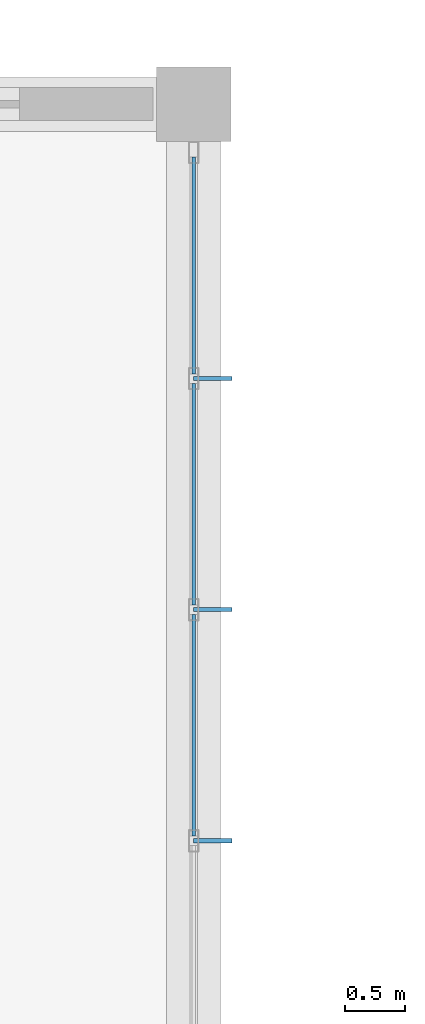
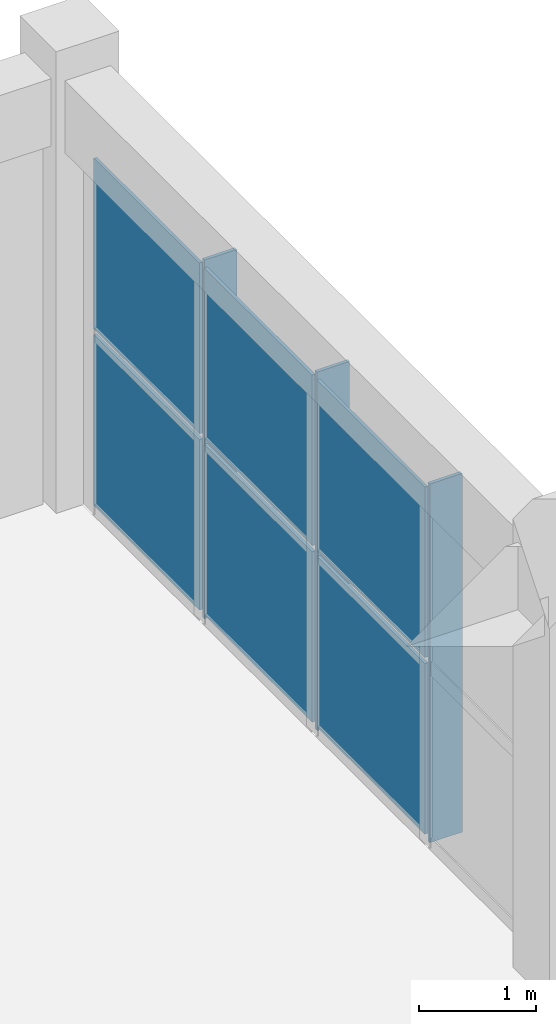
# One storey, part 149 of 167: 9 plates, 1 element without a shape of its own.
"""IFC4 building model written with IfcOpenShell, lengths in metres."""

from ifc_helpers import new_model, si_unit, direction, frame, origin, origin_2d, place, context, subcontext, project, spatial, polyline, rectangle, outline, extrude, material, layer, layer_set, type_object, element, aggregate, save


model = new_model("IFC4")

# Units and contexts
model_context = context("Model", 3, precision=1e-05, world=origin(), true_north=direction((0.0, 1.0)))
body_context = subcontext(model_context, "Body", "Model", "MODEL_VIEW")
ifc_project = project(units=[si_unit("LENGTHUNIT", "METRE"), si_unit("AREAUNIT", "SQUARE_METRE"), si_unit("VOLUMEUNIT", "CUBIC_METRE"), si_unit("PLANEANGLEUNIT", "RADIAN"), si_unit("MASSUNIT", "GRAM", prefix="KILO")], contexts=[model_context])

# Site, building, storey
site_placement = place(None, origin())
site = spatial("IfcSite", under=ifc_project, at=site_placement, CompositionType="ELEMENT")
building_placement = place(site_placement, origin())
building = spatial("IfcBuilding", under=site, at=building_placement, Name="Zizhar Promenade General Hospital", CompositionType="ELEMENT")
storey_placement = place(building_placement, frame((0.0, 0.0, 9.60009765625)))
storey = spatial("IfcBuildingStorey", under=building, at=storey_placement, Name="L02", CompositionType="ELEMENT", Elevation=9.60009765625)

# Curtain wall, plates
ifc_material_1 = material(Name="Anodised aluminium 6063-T6 and low-E glass", Category="aluminium")
ifc_layer_1 = layer(ifc_material_1, 0.159912109375)
ifc_layer_set_1 = layer_set([ifc_layer_1], Name="Anodised aluminium 6063-T6 and low-E glass")
curtain_wall_type = type_object("IfcCurtainWallType", Name="CW-DT-MOD1", PredefinedType="NOTDEFINED", material=ifc_layer_set_1)
curtain_wall_placement = place(storey_placement, origin())
curtain_wall = element("IfcCurtainWall", 1, at=curtain_wall_placement, inside=storey, type_object=curtain_wall_type, Name="Surgical East Glazed Curtain Wall L02-15", PredefinedType="NOTDEFINED")
ifc_material_2 = material(Name="Low-E solar-control glass", Category="glass")
ifc_layer_2 = layer(ifc_material_2, 0.031982421875)
ifc_layer_set_2 = layer_set([ifc_layer_2], Name="Low-E solar-control glass")
plate_type_1 = type_object("IfcPlateType", Name="CWP-GLZ-32", PredefinedType="CURTAIN_PANEL", material=ifc_layer_set_2)
plate_1_placement = place(storey_placement, frame((132.60009765625, 133.06005859375, 0.06005859375), z_axis=(0.0, 0.0, 1.0), x_axis=(0.0, -1.0, 0.0)))
plate_1 = element("IfcPlate", 2, at=plate_1_placement, type_object=plate_type_1, Name="CW-07 panel 1.1", PredefinedType="CURTAIN_PANEL", context=body_context, shape_type="SweptSolid", body=[
    extrude(rectangle(XDim=1.800048828125, YDim=0.031982421875, at=origin_2d()), origin(), (0.0, 0.0, 1.0), 1.77490234375),
])
plate_2_placement = place(storey_placement, frame((132.60009765625, 133.06005859375, 1.89501953125), z_axis=(0.0, 0.0, 1.0), x_axis=(0.0, -1.0, 0.0)))
plate_2 = element("IfcPlate", 3, at=plate_2_placement, type_object=plate_type_1, Name="CW-07 panel 1.2", PredefinedType="CURTAIN_PANEL", context=body_context, shape_type="SweptSolid", body=[
    extrude(rectangle(XDim=1.800048828125, YDim=0.031982421875, at=origin_2d()), origin(), (0.0, 0.0, 1.0), 1.77490234375),
])
plate_3_placement = place(storey_placement, frame((132.60009765625, 131.159912109375, 0.06005859375), z_axis=(0.0, 0.0, 1.0), x_axis=(0.0, -1.0, 0.0)))
plate_3 = element("IfcPlate", 4, at=plate_3_placement, type_object=plate_type_1, Name="CW-07 panel 2.1", PredefinedType="CURTAIN_PANEL", context=body_context, shape_type="SweptSolid", body=[
    extrude(rectangle(XDim=1.840087890625, YDim=0.031982421875, at=origin_2d()), origin(), (0.0, 0.0, 1.0), 1.77490234375),
])
plate_4_placement = place(storey_placement, frame((132.60009765625, 131.159912109375, 1.89501953125), z_axis=(0.0, 0.0, 1.0), x_axis=(0.0, -1.0, 0.0)))
plate_4 = element("IfcPlate", 5, at=plate_4_placement, type_object=plate_type_1, Name="CW-07 panel 2.2", PredefinedType="CURTAIN_PANEL", context=body_context, shape_type="SweptSolid", body=[
    extrude(rectangle(XDim=1.840087890625, YDim=0.031982421875, at=origin_2d()), origin(), (0.0, 0.0, 1.0), 1.77490234375),
])
plate_5_placement = place(storey_placement, frame((132.60009765625, 129.239990234375, 0.06005859375), z_axis=(0.0, 0.0, 1.0), x_axis=(0.0, -1.0, 0.0)))
plate_5 = element("IfcPlate", 6, at=plate_5_placement, type_object=plate_type_1, Name="CW-07 panel 3.1", PredefinedType="CURTAIN_PANEL", context=body_context, shape_type="SweptSolid", body=[
    extrude(rectangle(XDim=1.840087890625, YDim=0.031982421875, at=origin_2d()), origin(), (0.0, 0.0, 1.0), 1.77490234375),
])
plate_6_placement = place(storey_placement, frame((132.60009765625, 129.239990234375, 1.89501953125), z_axis=(0.0, 0.0, 1.0), x_axis=(0.0, -1.0, 0.0)))
plate_6 = element("IfcPlate", 7, at=plate_6_placement, type_object=plate_type_1, Name="CW-07 panel 3.2", PredefinedType="CURTAIN_PANEL", context=body_context, shape_type="SweptSolid", body=[
    extrude(rectangle(XDim=1.840087890625, YDim=0.031982421875, at=origin_2d()), origin(), (0.0, 0.0, 1.0), 1.77490234375),
])
aggregate(curtain_wall, [plate_1, plate_2, plate_3, plate_4, plate_5, plate_6])

# Plates
ifc_material_3 = material(Name="Anodised aluminium 6063-T6", Category="aluminium")
ifc_layer_3 = layer(ifc_material_3, 0.033935546875)
ifc_layer_set_3 = layer_set([ifc_layer_3], Name="Anodised aluminium 6063-T6")
plate_type_2 = type_object("IfcPlateType", Name="FIN-ALU-320", PredefinedType="USERDEFINED", material=ifc_layer_set_3)
plate_7_placement = place(storey_placement, origin())
element("IfcPlate", 8, at=plate_7_placement, inside=storey, type_object=plate_type_2, Name="Surgical East Glazed Curtain Wall L02-15 Solar Fin 1", ObjectType="SOLAR_SHADE", PredefinedType="USERDEFINED", context=body_context, shape_type="SweptSolid", body=[
    extrude(outline(polyline([(132.60009765625, 132.136962890625), (132.60009765625, 132.10302734375), (132.919921875, 132.10302734375), (132.919921875, 132.136962890625), (132.60009765625, 132.136962890625)])), origin(), (0.0, 0.0, 1.0), 3.72998046875),
])
plate_8_placement = place(storey_placement, origin())
element("IfcPlate", 9, at=plate_8_placement, inside=storey, type_object=plate_type_2, Name="Surgical East Glazed Curtain Wall L02-15 Solar Fin 2", ObjectType="SOLAR_SHADE", PredefinedType="USERDEFINED", context=body_context, shape_type="SweptSolid", body=[
    extrude(outline(polyline([(132.60009765625, 130.217041015625), (132.60009765625, 130.18310546875), (132.919921875, 130.18310546875), (132.919921875, 130.217041015625), (132.60009765625, 130.217041015625)])), origin(), (0.0, 0.0, 1.0), 3.72998046875),
])
plate_9_placement = place(storey_placement, origin())
element("IfcPlate", 10, at=plate_9_placement, inside=storey, type_object=plate_type_2, Name="Surgical East Glazed Curtain Wall L02-15 Solar Fin 3", ObjectType="SOLAR_SHADE", PredefinedType="USERDEFINED", context=body_context, shape_type="SweptSolid", body=[
    extrude(outline(polyline([(132.60009765625, 128.297119140625), (132.60009765625, 128.262939453125), (132.919921875, 128.262939453125), (132.919921875, 128.297119140625), (132.60009765625, 128.297119140625)])), origin(), (0.0, 0.0, 1.0), 3.72998046875),
])

save(model, "model.ifc")
